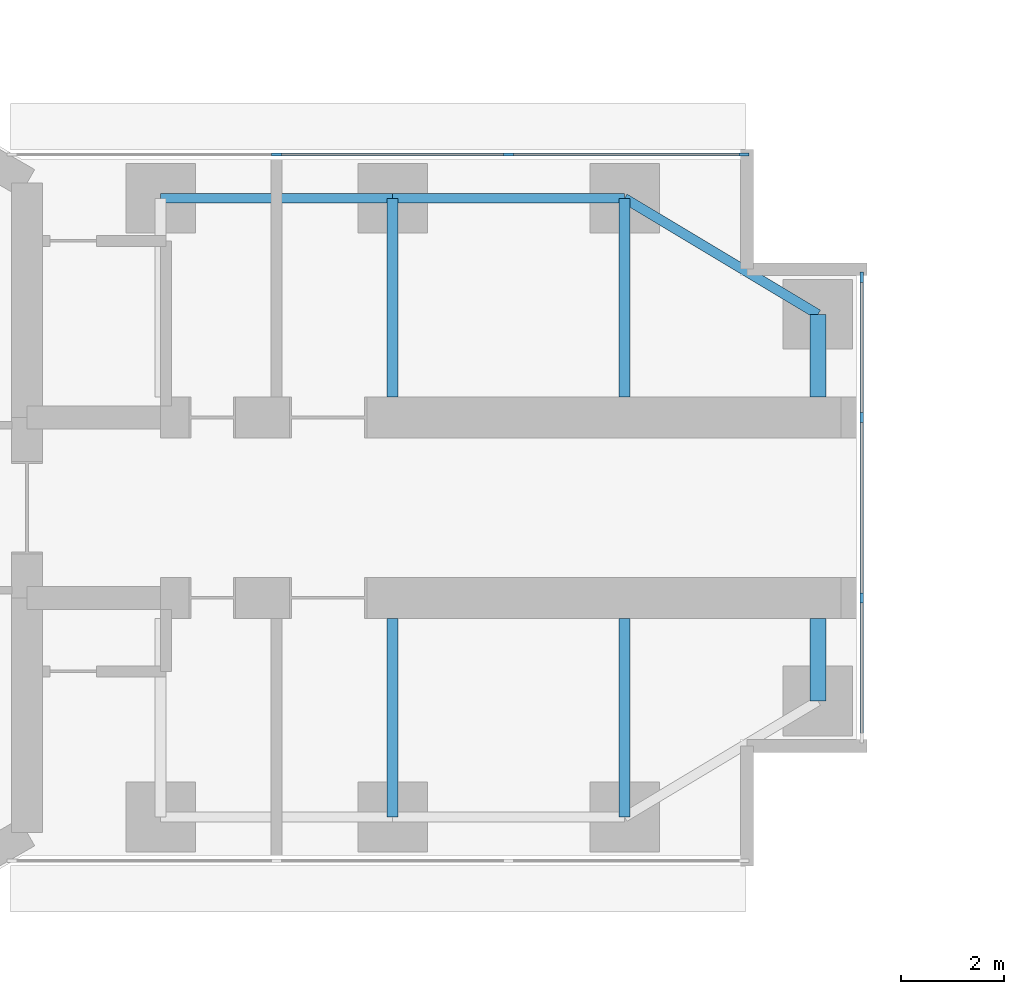
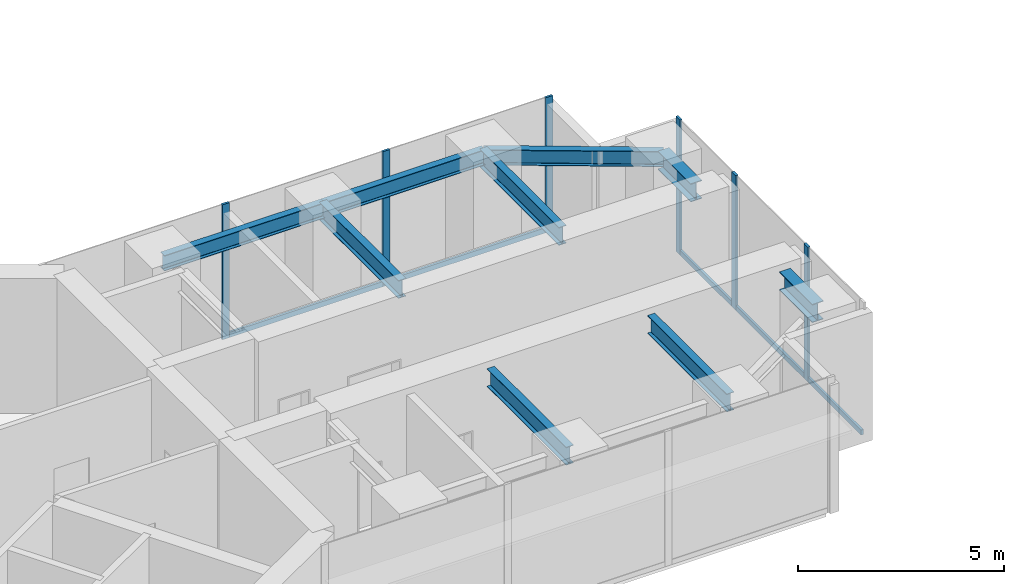
# One storey, part 7 of 21: 11 members, 9 beams, 2 elements without a shape of their own.
"""IFC4 building model written with IfcOpenShell, lengths in metres."""

from ifc_helpers import new_model, si_unit, direction, frame, origin, origin_2d, place, context, subcontext, project, spatial, rectangle, i_section, extrude, material, material_profile, profile_set, type_object, element, aggregate, save


model = new_model("IFC4")

# Units and contexts
model_context = context("Model", 3, precision=1e-05, world=origin(), true_north=direction((0.0, 1.0)))
body_context = subcontext(model_context, "Body", "Model", "MODEL_VIEW")
ifc_project = project(units=[si_unit("LENGTHUNIT", "METRE"), si_unit("AREAUNIT", "SQUARE_METRE"), si_unit("VOLUMEUNIT", "CUBIC_METRE"), si_unit("PLANEANGLEUNIT", "RADIAN"), si_unit("MASSUNIT", "GRAM", prefix="KILO")], contexts=[model_context])

# Site, building, storey
site_placement = place(None, origin())
site = spatial("IfcSite", under=ifc_project, at=site_placement, CompositionType="ELEMENT")
building_placement = place(site_placement, origin())
building = spatial("IfcBuilding", under=site, at=building_placement, Name="Upepo Twin Towers", CompositionType="ELEMENT")
storey_placement = place(building_placement, frame((0.0, 0.0, 109.5)))
storey = spatial("IfcBuildingStorey", under=building, at=storey_placement, Name="L26", CompositionType="ELEMENT", Elevation=109.5)

# Beams
ifc_material_1 = material(Name="Steel S355", Category="steel")
ifc_material_profile_1 = material_profile(ifc_material_1, i_section(OverallWidth=0.1904296875, OverallDepth=0.45703125, WebThickness=0.009033203125, FlangeThickness=0.014404296875, FilletRadius=0.01025390625, at=origin_2d()), Name="UB 457x191x74")
ifc_profile_set_1 = profile_set([ifc_material_profile_1], Name="Steel S355")
beam_type_1 = type_object("IfcBeamType", Name="Beam UB 457x191x74", PredefinedType="BEAM", material=ifc_profile_set_1)
for number, where, z_axis, x_axis, name in (
    (1, (13.5, 6.0, 3.571533203125), (1.0, 0.0, 0.0), (0.0, 1.0, 0.0), "T1 edge beam AL 13.5-18.0"),
    (2, (18.0, 6.0, 3.571533203125), (1.0, 0.0, 0.0), (0.0, 1.0, 0.0), "T1 edge beam AL 18.0-22.5"),
):
    element("IfcBeam", number, at=place(storey_placement, frame(where, z_axis=z_axis, x_axis=x_axis)), inside=storey, type_object=beam_type_1, Name=name, PredefinedType="BEAM", context=body_context, shape_type="SweptSolid", body=[
        extrude(i_section(OverallWidth=0.1904296875, OverallDepth=0.45703125, WebThickness=0.009033203125, FlangeThickness=0.014404296875, FilletRadius=0.01025390625, at=origin_2d()), origin(), (0.0, 0.0, 1.0), 4.5),
    ])
beam_placement = place(storey_placement, frame((22.5, 6.0, 3.571533203125), z_axis=(0.857492925713, -0.514495755428, 0.0), x_axis=(0.514495755428, 0.857492925713, 0.0)))
element("IfcBeam", 3, at=beam_placement, inside=storey, type_object=beam_type_1, Name="T1 nose edge beam AL", PredefinedType="BEAM", context=body_context, shape_type="SweptSolid", body=[
    extrude(i_section(OverallWidth=0.1904296875, OverallDepth=0.45703125, WebThickness=0.009033203125, FlangeThickness=0.014404296875, FilletRadius=0.01025390625, at=origin_2d()), origin(), (0.0, 0.0, 1.0), 4.373291015625),
])
ifc_material_2 = material(Name="Steel S355", Category="steel")
ifc_material_profile_2 = material_profile(ifc_material_2, i_section(OverallWidth=0.209228515625, OverallDepth=0.533203125, WebThickness=0.010009765625, FlangeThickness=0.015625, FilletRadius=0.0126953125, at=origin_2d()), Name="UB 533x210x92")
ifc_profile_set_2 = profile_set([ifc_material_profile_2], Name="Steel S355")
beam_type_2 = type_object("IfcBeamType", Name="Beam UB 533x210x92", PredefinedType="BEAM", material=ifc_profile_set_2)
for number, where, z_axis, x_axis, name in (
    (4, (18.0, 6.0, 3.533447265625), (0.0, -1.0, 0.0), (1.0, 0.0, 0.0), "T1 girder AL at 18.0"),
    (5, (22.5, 6.0, 3.533447265625), (0.0, -1.0, 0.0), (1.0, 0.0, 0.0), "T1 girder AL at 22.5"),
    (6, (18.0, -6.0, 3.533447265625), (0.0, 1.0, 0.0), (-1.0, 0.0, 0.0), "T1 girder AR at 18.0"),
    (7, (22.5, -6.0, 3.533447265625), (0.0, 1.0, 0.0), (-1.0, 0.0, 0.0), "T1 girder AR at 22.5"),
):
    element("IfcBeam", number, at=place(storey_placement, frame(where, z_axis=z_axis, x_axis=x_axis)), inside=storey, type_object=beam_type_2, Name=name, PredefinedType="BEAM", context=body_context, shape_type="SweptSolid", body=[
        extrude(i_section(OverallWidth=0.209228515625, OverallDepth=0.533203125, WebThickness=0.010009765625, FlangeThickness=0.015625, FilletRadius=0.0126953125, at=origin_2d()), origin(), (0.0, 0.0, 1.0), 3.85009765625),
    ])
ifc_material_3 = material(Name="Steel S355", Category="steel")
ifc_material_profile_3 = material_profile(ifc_material_3, i_section(OverallWidth=0.31201171875, OverallDepth=0.54345703125, WebThickness=0.0126953125, FlangeThickness=0.020263671875, FilletRadius=0.0126953125, at=origin_2d()), Name="UB 533x312x150")
ifc_profile_set_3 = profile_set([ifc_material_profile_3], Name="Steel S355")
beam_type_3 = type_object("IfcBeamType", Name="Beam UB 533x312x150", PredefinedType="BEAM", material=ifc_profile_set_3)
for number, where, z_axis, x_axis, name in (
    (8, (26.25, 3.75, 3.5283203125), (0.0, -1.0, 0.0), (1.0, 0.0, 0.0), "T1 nose beam AL"),
    (9, (26.25, -3.75, 3.5283203125), (0.0, 1.0, 0.0), (-1.0, 0.0, 0.0), "T1 nose beam AR"),
):
    element("IfcBeam", number, at=place(storey_placement, frame(where, z_axis=z_axis, x_axis=x_axis)), inside=storey, type_object=beam_type_3, Name=name, PredefinedType="BEAM", context=body_context, shape_type="SweptSolid", body=[
        extrude(i_section(OverallWidth=0.31201171875, OverallDepth=0.54345703125, WebThickness=0.0126953125, FlangeThickness=0.020263671875, FilletRadius=0.0126953125, at=origin_2d()), origin(), (0.0, 0.0, 1.0), 1.60009765625),
    ])

# Curtain wall, members
ifc_material_4 = material(Name="Aluminium and fritted glass", Category="aluminium")
curtain_wall_type = type_object("IfcCurtainWallType", Name="Tower curtain wall TW2, fritted glass", PredefinedType="NOTDEFINED", material=ifc_material_4)
curtain_wall_1_placement = place(storey_placement, origin())
curtain_wall_1 = element("IfcCurtainWall", 10, at=curtain_wall_1_placement, inside=storey, type_object=curtain_wall_type, Name="T1 L26 wing A flank L curtain wall", PredefinedType="NOTDEFINED")
ifc_material_5 = material(Name="Aluminium mullion", Category="aluminium")
ifc_material_profile_4 = material_profile(ifc_material_5, rectangle(XDim=0.06494140625, YDim=0.199951171875, at=origin_2d()), Name="MULLION 65x200")
ifc_profile_set_4 = profile_set([ifc_material_profile_4], Name="Aluminium mullion")
member_type_1 = type_object("IfcMemberType", Name="Mullion 65x200 TW2", PredefinedType="MULLION", material=ifc_profile_set_4)
member_1_placement = place(storey_placement, frame((15.75, 6.85009765625, 0.0), z_axis=(0.0, 0.0, 1.0), x_axis=(0.0, 1.0, 0.0)))
member_1 = element("IfcMember", 11, at=member_1_placement, type_object=member_type_1, Name="T1 L26 wing A flank L curtain wall mullion 2", PredefinedType="MULLION", context=body_context, shape_type="SweptSolid", body=[
    extrude(rectangle(XDim=0.06494140625, YDim=0.199951171875, at=origin_2d()), origin(), (0.0, 0.0, 1.0), 4.0),
])
member_2_placement = place(storey_placement, frame((20.25, 6.85009765625, 0.0), z_axis=(0.0, 0.0, 1.0), x_axis=(0.0, 1.0, 0.0)))
member_2 = element("IfcMember", 12, at=member_2_placement, type_object=member_type_1, Name="T1 L26 wing A flank L curtain wall mullion 3", PredefinedType="MULLION", context=body_context, shape_type="SweptSolid", body=[
    extrude(rectangle(XDim=0.06494140625, YDim=0.199951171875, at=origin_2d()), origin(), (0.0, 0.0, 1.0), 4.0),
])
member_3_placement = place(storey_placement, frame((24.8173828125, 6.85009765625, 0.0), z_axis=(0.0, 0.0, 1.0), x_axis=(0.0, 1.0, 0.0)))
member_3 = element("IfcMember", 13, at=member_3_placement, type_object=member_type_1, Name="T1 L26 wing A flank L curtain wall mullion 4", PredefinedType="MULLION", context=body_context, shape_type="SweptSolid", body=[
    extrude(rectangle(XDim=0.06494140625, YDim=0.199951171875, at=origin_2d()), origin(), (0.0, 0.0, 1.0), 4.0),
])

curtain_wall_2_placement = place(storey_placement, origin())
curtain_wall_2 = element("IfcCurtainWall", 14, at=curtain_wall_2_placement, inside=storey, type_object=curtain_wall_type, Name="T1 L26 wing A nose curtain wall", PredefinedType="NOTDEFINED")
member_4_placement = place(storey_placement, frame((27.10009765625, -1.75, 0.0), z_axis=(0.0, 0.0, 1.0), x_axis=(-1.0, 0.0, 0.0)))
member_4 = element("IfcMember", 15, at=member_4_placement, type_object=member_type_1, Name="T1 L26 wing A nose curtain wall mullion 2", PredefinedType="MULLION", context=body_context, shape_type="SweptSolid", body=[
    extrude(rectangle(XDim=0.06494140625, YDim=0.199951171875, at=origin_2d()), origin(), (0.0, 0.0, 1.0), 4.0),
])
member_5_placement = place(storey_placement, frame((27.10009765625, 1.75, 0.0), z_axis=(0.0, 0.0, 1.0), x_axis=(-1.0, 0.0, 0.0)))
member_5 = element("IfcMember", 16, at=member_5_placement, type_object=member_type_1, Name="T1 L26 wing A nose curtain wall mullion 3", PredefinedType="MULLION", context=body_context, shape_type="SweptSolid", body=[
    extrude(rectangle(XDim=0.06494140625, YDim=0.199951171875, at=origin_2d()), origin(), (0.0, 0.0, 1.0), 4.0),
])
member_6_placement = place(storey_placement, frame((27.10009765625, 4.467529296875, 0.0), z_axis=(0.0, 0.0, 1.0), x_axis=(-1.0, 0.0, 0.0)))
member_6 = element("IfcMember", 17, at=member_6_placement, type_object=member_type_1, Name="T1 L26 wing A nose curtain wall mullion 4", PredefinedType="MULLION", context=body_context, shape_type="SweptSolid", body=[
    extrude(rectangle(XDim=0.06494140625, YDim=0.199951171875, at=origin_2d()), origin(), (0.0, 0.0, 1.0), 4.0),
])

# Member
ifc_material_6 = material(Name="Aluminium transom", Category="aluminium")
ifc_material_profile_5 = material_profile(ifc_material_6, rectangle(XDim=0.06494140625, YDim=0.14990234375, at=origin_2d()), Name="TRANSOM 65x150")
ifc_profile_set_5 = profile_set([ifc_material_profile_5], Name="Aluminium transom")
member_type_2 = type_object("IfcMemberType", Name="Transom 65x150 TW2", PredefinedType="USERDEFINED", material=ifc_profile_set_5)
member_7_placement = place(storey_placement, frame((15.782470703125, 6.85009765625, 0.074951171875), z_axis=(1.0, 0.0, 0.0), x_axis=(0.0, 1.0, 0.0)))
member_7 = element("IfcMember", 18, at=member_7_placement, type_object=member_type_2, Name="T1 L26 wing A flank L curtain wall transom 2", ObjectType="TRANSOM", PredefinedType="USERDEFINED", context=body_context, shape_type="SweptSolid", body=[
    extrude(rectangle(XDim=0.06494140625, YDim=0.14990234375, at=origin_2d()), origin(), (0.0, 0.0, 1.0), 4.43505859375),
])

member_8_placement = place(storey_placement, frame((20.282470703125, 6.85009765625, 0.074951171875), z_axis=(1.0, 0.0, 0.0), x_axis=(0.0, 1.0, 0.0)))
member_8 = element("IfcMember", 19, at=member_8_placement, type_object=member_type_2, Name="T1 L26 wing A flank L curtain wall transom 3", ObjectType="TRANSOM", PredefinedType="USERDEFINED", context=body_context, shape_type="SweptSolid", body=[
    extrude(rectangle(XDim=0.06494140625, YDim=0.14990234375, at=origin_2d()), origin(), (0.0, 0.0, 1.0), 4.50244140625),
])

aggregate(curtain_wall_1, [member_1, member_2, member_3, member_7, member_8])

member_9_placement = place(storey_placement, frame((27.10009765625, -4.43505859375, 0.074951171875), z_axis=(0.0, 1.0, 0.0), x_axis=(-1.0, 0.0, 0.0)))
member_9 = element("IfcMember", 20, at=member_9_placement, type_object=member_type_2, Name="T1 L26 wing A nose curtain wall transom 1", ObjectType="TRANSOM", PredefinedType="USERDEFINED", context=body_context, shape_type="SweptSolid", body=[
    extrude(rectangle(XDim=0.06494140625, YDim=0.14990234375, at=origin_2d()), origin(), (0.0, 0.0, 1.0), 2.652587890625),
])

member_10_placement = place(storey_placement, frame((27.10009765625, -1.717529296875, 0.074951171875), z_axis=(0.0, 1.0, 0.0), x_axis=(-1.0, 0.0, 0.0)))
member_10 = element("IfcMember", 21, at=member_10_placement, type_object=member_type_2, Name="T1 L26 wing A nose curtain wall transom 2", ObjectType="TRANSOM", PredefinedType="USERDEFINED", context=body_context, shape_type="SweptSolid", body=[
    extrude(rectangle(XDim=0.06494140625, YDim=0.14990234375, at=origin_2d()), origin(), (0.0, 0.0, 1.0), 3.43505859375),
])

member_11_placement = place(storey_placement, frame((27.10009765625, 1.782470703125, 0.074951171875), z_axis=(0.0, 1.0, 0.0), x_axis=(-1.0, 0.0, 0.0)))
member_11 = element("IfcMember", 22, at=member_11_placement, type_object=member_type_2, Name="T1 L26 wing A nose curtain wall transom 3", ObjectType="TRANSOM", PredefinedType="USERDEFINED", context=body_context, shape_type="SweptSolid", body=[
    extrude(rectangle(XDim=0.06494140625, YDim=0.14990234375, at=origin_2d()), origin(), (0.0, 0.0, 1.0), 2.652587890625),
])

aggregate(curtain_wall_2, [member_4, member_5, member_6, member_9, member_10, member_11])

save(model, "model.ifc")
